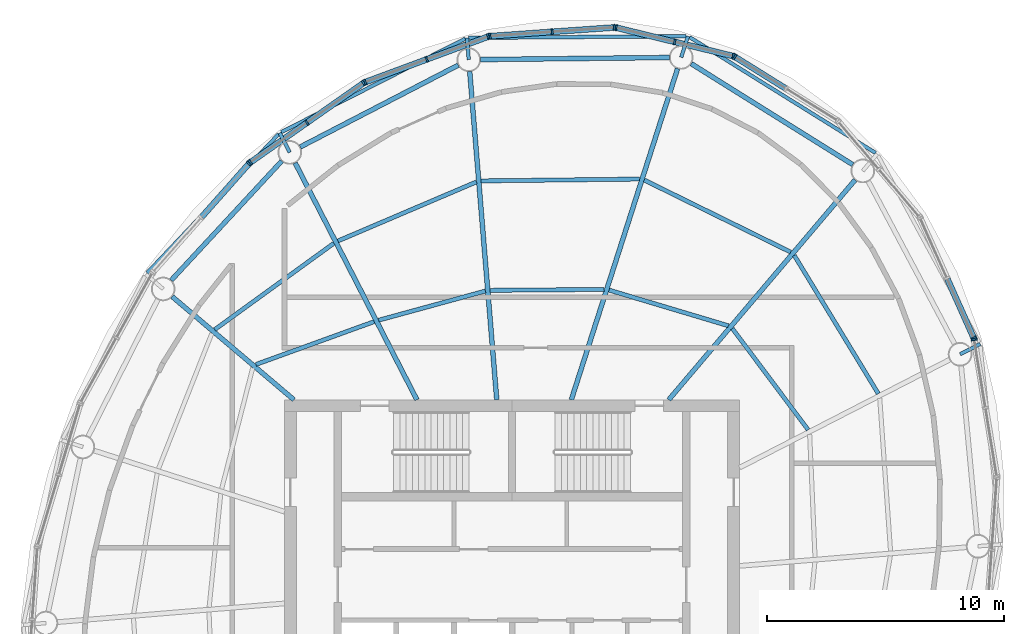
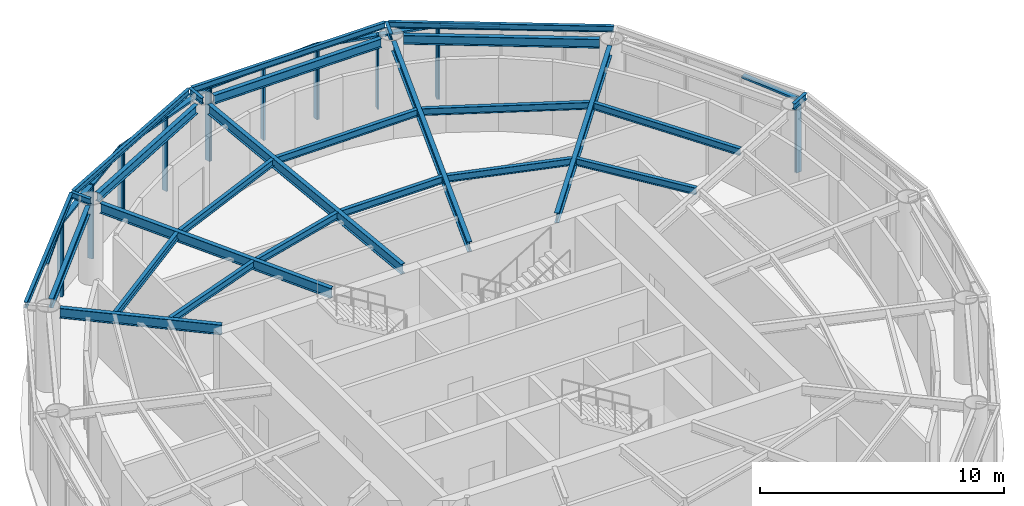
# One storey, part 5 of 11: 27 beams, 27 members, 8 elements without a shape of their own.
"""IFC4 building model written with IfcOpenShell, lengths in metres."""

from ifc_helpers import new_model, si_unit, direction, frame, origin, origin_2d, place, context, subcontext, project, spatial, rectangle, i_section, extrude, material, material_profile, profile_set, type_object, element, aggregate, save


model = new_model("IFC4")

# Units and contexts
model_context = context("Model", 3, precision=1e-05, world=origin(), true_north=direction((0.0, 1.0)))
body_context = subcontext(model_context, "Body", "Model", "MODEL_VIEW")
ifc_project = project(units=[si_unit("LENGTHUNIT", "METRE"), si_unit("AREAUNIT", "SQUARE_METRE"), si_unit("VOLUMEUNIT", "CUBIC_METRE"), si_unit("PLANEANGLEUNIT", "RADIAN"), si_unit("MASSUNIT", "GRAM", prefix="KILO")], contexts=[model_context])

# Site, building, storey
site_placement = place(None, origin())
site = spatial("IfcSite", under=ifc_project, at=site_placement, CompositionType="ELEMENT")
building_placement = place(site_placement, origin())
building = spatial("IfcBuilding", under=site, at=building_placement, Name="Vermilion Reach Broadcast Tower", CompositionType="ELEMENT")
storey_placement = place(building_placement, frame((0.0, 0.0, 321.300048828125)))
storey = spatial("IfcBuildingStorey", under=building, at=storey_placement, Name="L80 CROWN", CompositionType="ELEMENT", Elevation=321.300048828125)

# Curtain wall, members
ifc_material_1 = material(Name="Low-e laminated clear glass in aluminium frame", Category="aluminium")
curtain_wall_type = type_object("IfcCurtainWallType", Name="Crown glazing curtain wall", PredefinedType="NOTDEFINED", material=ifc_material_1)
placement = place(storey_placement, origin())
curtain_wall_1 = element("IfcCurtainWall", 1, at=placement, inside=storey, type_object=curtain_wall_type, Name="Crown glazing L80 CROWN 01", PredefinedType="NOTDEFINED")
ifc_material_2 = material(Name="Anodised aluminium", Category="aluminium")
ifc_material_profile_1 = material_profile(ifc_material_2, rectangle(XDim=0.25, YDim=0.080078125, at=origin_2d()), Name="Crown glazing mullion 80 x 250")
ifc_profile_set_1 = profile_set([ifc_material_profile_1], Name="Anodised aluminium")
member_type_1 = type_object("IfcMemberType", Name="Crown glazing mullion 80 x 250", PredefinedType="MULLION", material=ifc_profile_set_1)
member_1_placement = place(storey_placement, frame((3.331298828125, 22.300048828125, 0.0), z_axis=(0.0, 0.0, 1.0), x_axis=(-0.236354420386, -0.971666912045, 0.0)))
member_1 = element("IfcMember", 2, at=member_1_placement, type_object=member_type_1, Name="Crown glazing mullion L80 CROWN 01.1", PredefinedType="MULLION", context=body_context, shape_type="SweptSolid", body=[
    extrude(rectangle(XDim=0.25, YDim=0.080078125, at=origin_2d()), origin(), (0.0, 0.0, 1.0), 3.699951171875),
])
member_2_placement = place(storey_placement, frame((0.861328125, 22.90087890625, 0.0), z_axis=(0.0, 0.0, 1.0), x_axis=(-0.236354420386, -0.971666912045, 0.0)))
member_2 = element("IfcMember", 3, at=member_2_placement, type_object=member_type_1, Name="Crown glazing mullion L80 CROWN 01.2", PredefinedType="MULLION", context=body_context, shape_type="SweptSolid", body=[
    extrude(rectangle(XDim=0.25, YDim=0.080078125, at=origin_2d()), origin(), (0.0, 0.0, 1.0), 3.699951171875),
])
member_3_placement = place(storey_placement, frame((-1.60888671875, 23.501708984375, 0.0), z_axis=(0.0, 0.0, 1.0), x_axis=(-0.236354420386, -0.971666912045, 0.0)))
member_3 = element("IfcMember", 4, at=member_3_placement, type_object=member_type_1, Name="Crown glazing mullion L80 CROWN 01.3", PredefinedType="MULLION", context=body_context, shape_type="SweptSolid", body=[
    extrude(rectangle(XDim=0.25, YDim=0.080078125, at=origin_2d()), origin(), (0.0, 0.0, 1.0), 3.699951171875),
])

curtain_wall_2 = element("IfcCurtainWall", 5, at=placement, inside=storey, type_object=curtain_wall_type, Name="Crown glazing L80 CROWN 02", PredefinedType="NOTDEFINED")
member_4_placement = place(storey_placement, frame((-1.6875, 23.50830078125, 0.0), z_axis=(0.0, 0.0, 1.0), x_axis=(0.070082236977, -0.997541217224, 0.0)))
member_4 = element("IfcMember", 6, at=member_4_placement, type_object=member_type_1, Name="Crown glazing mullion L80 CROWN 02.1", PredefinedType="MULLION", context=body_context, shape_type="SweptSolid", body=[
    extrude(rectangle(XDim=0.25, YDim=0.080078125, at=origin_2d()), origin(), (0.0, 0.0, 1.0), 3.699951171875),
])
member_5_placement = place(storey_placement, frame((-4.30712890625, 23.324462890625, 0.0), z_axis=(0.0, 0.0, 1.0), x_axis=(0.070082236977, -0.997541217224, 0.0)))
member_5 = element("IfcMember", 7, at=member_5_placement, type_object=member_type_1, Name="Crown glazing mullion L80 CROWN 02.2", PredefinedType="MULLION", context=body_context, shape_type="SweptSolid", body=[
    extrude(rectangle(XDim=0.25, YDim=0.080078125, at=origin_2d()), origin(), (0.0, 0.0, 1.0), 3.699951171875),
])
member_6_placement = place(storey_placement, frame((-6.9267578125, 23.140380859375, 0.0), z_axis=(0.0, 0.0, 1.0), x_axis=(0.070082236977, -0.997541217224, 0.0)))
member_6 = element("IfcMember", 8, at=member_6_placement, type_object=member_type_1, Name="Crown glazing mullion L80 CROWN 02.3", PredefinedType="MULLION", context=body_context, shape_type="SweptSolid", body=[
    extrude(rectangle(XDim=0.25, YDim=0.080078125, at=origin_2d()), origin(), (0.0, 0.0, 1.0), 3.699951171875),
])

curtain_wall_3 = element("IfcCurtainWall", 9, at=placement, inside=storey, type_object=curtain_wall_type, Name="Crown glazing L80 CROWN 03", PredefinedType="NOTDEFINED")
member_7_placement = place(storey_placement, frame((-7.004150390625, 23.12353515625, 0.0), z_axis=(0.0, 0.0, 1.0), x_axis=(0.347291008771, -0.93775740745, 0.0)))
member_7 = element("IfcMember", 10, at=member_7_placement, type_object=member_type_1, Name="Crown glazing mullion L80 CROWN 03.1", PredefinedType="MULLION", context=body_context, shape_type="SweptSolid", body=[
    extrude(rectangle(XDim=0.25, YDim=0.080078125, at=origin_2d()), origin(), (0.0, 0.0, 1.0), 3.699951171875),
])
member_8_placement = place(storey_placement, frame((-9.597412109375, 22.163330078125, 0.0), z_axis=(0.0, 0.0, 1.0), x_axis=(0.347291008771, -0.93775740745, 0.0)))
member_8 = element("IfcMember", 11, at=member_8_placement, type_object=member_type_1, Name="Crown glazing mullion L80 CROWN 03.2", PredefinedType="MULLION", context=body_context, shape_type="SweptSolid", body=[
    extrude(rectangle(XDim=0.25, YDim=0.080078125, at=origin_2d()), origin(), (0.0, 0.0, 1.0), 3.699951171875),
])
member_9_placement = place(storey_placement, frame((-12.190673828125, 21.202880859375, 0.0), z_axis=(0.0, 0.0, 1.0), x_axis=(0.347291008771, -0.93775740745, 0.0)))
member_9 = element("IfcMember", 12, at=member_9_placement, type_object=member_type_1, Name="Crown glazing mullion L80 CROWN 03.3", PredefinedType="MULLION", context=body_context, shape_type="SweptSolid", body=[
    extrude(rectangle(XDim=0.25, YDim=0.080078125, at=origin_2d()), origin(), (0.0, 0.0, 1.0), 3.699951171875),
])

curtain_wall_4 = element("IfcCurtainWall", 13, at=placement, inside=storey, type_object=curtain_wall_type, Name="Crown glazing L80 CROWN 04", PredefinedType="NOTDEFINED")
member_10_placement = place(storey_placement, frame((-12.2607421875, 21.166015625, 0.0), z_axis=(0.0, 0.0, 1.0), x_axis=(0.574163969023, -0.818740335317, 0.0)))
member_10 = element("IfcMember", 14, at=member_10_placement, type_object=member_type_1, Name="Crown glazing mullion L80 CROWN 04.1", PredefinedType="MULLION", context=body_context, shape_type="SweptSolid", body=[
    extrude(rectangle(XDim=0.25, YDim=0.080078125, at=origin_2d()), origin(), (0.0, 0.0, 1.0), 3.699951171875),
])
member_11_placement = place(storey_placement, frame((-14.64990234375, 19.49072265625, 0.0), z_axis=(0.0, 0.0, 1.0), x_axis=(0.574163969023, -0.818740335317, 0.0)))
member_11 = element("IfcMember", 15, at=member_11_placement, type_object=member_type_1, Name="Crown glazing mullion L80 CROWN 04.2", PredefinedType="MULLION", context=body_context, shape_type="SweptSolid", body=[
    extrude(rectangle(XDim=0.25, YDim=0.080078125, at=origin_2d()), origin(), (0.0, 0.0, 1.0), 3.699951171875),
])
member_12_placement = place(storey_placement, frame((-17.038818359375, 17.8154296875, 0.0), z_axis=(0.0, 0.0, 1.0), x_axis=(0.574163969023, -0.818740335317, 0.0)))
member_12 = element("IfcMember", 16, at=member_12_placement, type_object=member_type_1, Name="Crown glazing mullion L80 CROWN 04.3", PredefinedType="MULLION", context=body_context, shape_type="SweptSolid", body=[
    extrude(rectangle(XDim=0.25, YDim=0.080078125, at=origin_2d()), origin(), (0.0, 0.0, 1.0), 3.699951171875),
])

# Curtain wall, member
curtain_wall_5 = element("IfcCurtainWall", 17, at=placement, inside=storey, type_object=curtain_wall_type, Name="Crown glazing L80 CROWN 05", PredefinedType="NOTDEFINED")
member_13_placement = place(storey_placement, frame((-17.09814453125, 17.762451171875, 0.0), z_axis=(0.0, 0.0, 1.0), x_axis=(0.748407682668, -0.663238976934, 0.0)))
member_13 = element("IfcMember", 18, at=member_13_placement, type_object=member_type_1, Name="Crown glazing mullion L80 CROWN 05.1", PredefinedType="MULLION", context=body_context, shape_type="SweptSolid", body=[
    extrude(rectangle(XDim=0.25, YDim=0.080078125, at=origin_2d()), origin(), (0.0, 0.0, 1.0), 3.699951171875),
])

curtain_wall_6 = element("IfcCurtainWall", 19, at=placement, inside=storey, type_object=curtain_wall_type, Name="Crown glazing L80 CROWN 21", PredefinedType="NOTDEFINED")
member_14_placement = place(storey_placement, frame((13.5029296875, 10.3359375, 0.0), z_axis=(0.0, 0.0, 1.0), x_axis=(-0.986689101121, -0.162618011697, 0.0)))
member_14 = element("IfcMember", 20, at=member_14_placement, type_object=member_type_1, Name="Crown glazing mullion L80 CROWN 21.3", PredefinedType="MULLION", context=body_context, shape_type="SweptSolid", body=[
    extrude(rectangle(XDim=0.25, YDim=0.080078125, at=origin_2d()), origin(), (0.0, 0.0, 1.0), 3.699951171875),
])
aggregate(curtain_wall_6, [member_14])

curtain_wall_7 = element("IfcCurtainWall", 21, at=placement, inside=storey, type_object=curtain_wall_type, Name="Crown glazing L80 CROWN 22", PredefinedType="NOTDEFINED")
member_15_placement = place(storey_placement, frame((13.480224609375, 10.411865234375, 0.0), z_axis=(0.0, 0.0, 1.0), x_axis=(-0.912988806241, -0.407984607158, 0.0)))
member_15 = element("IfcMember", 22, at=member_15_placement, type_object=member_type_1, Name="Crown glazing mullion L80 CROWN 22.1", PredefinedType="MULLION", context=body_context, shape_type="SweptSolid", body=[
    extrude(rectangle(XDim=0.25, YDim=0.080078125, at=origin_2d()), origin(), (0.0, 0.0, 1.0), 3.699951171875),
])

curtain_wall_8 = element("IfcCurtainWall", 23, at=placement, inside=storey, type_object=curtain_wall_type, Name="Crown glazing L80 CROWN 24", PredefinedType="NOTDEFINED")
member_16_placement = place(storey_placement, frame((3.404052734375, 22.26953125, 0.0), z_axis=(0.0, 0.0, 1.0), x_axis=(-0.52886102859, -0.848708437827, 0.0)))
member_16 = element("IfcMember", 24, at=member_16_placement, type_object=member_type_1, Name="Crown glazing mullion L80 CROWN 24.3", PredefinedType="MULLION", context=body_context, shape_type="SweptSolid", body=[
    extrude(rectangle(XDim=0.25, YDim=0.080078125, at=origin_2d()), origin(), (0.0, 0.0, 1.0), 3.699951171875),
])

# Member
ifc_material_3 = material(Name="Anodised aluminium", Category="aluminium")
ifc_material_profile_2 = material_profile(ifc_material_3, rectangle(XDim=0.25, YDim=0.10009765625, at=origin_2d()), Name="Crown glazing transom 250 x 100")
ifc_profile_set_2 = profile_set([ifc_material_profile_2], Name="Anodised aluminium")
member_type_2 = type_object("IfcMemberType", Name="Crown glazing transom 250 x 100", PredefinedType="USERDEFINED", material=ifc_profile_set_2)
member_17_placement = place(storey_placement, frame((3.29248046875, 22.3095703125, 3.64990234375), z_axis=(-0.971679911502, 0.236300972457, 0.0), x_axis=(-0.236300972457, -0.971679911502, 0.0)))
member_17 = element("IfcMember", 25, at=member_17_placement, type_object=member_type_2, Name="Crown glazing transom L80 CROWN 01.1.2", ObjectType="TRANSOM", PredefinedType="USERDEFINED", context=body_context, shape_type="SweptSolid", body=[
    extrude(rectangle(XDim=0.25, YDim=0.10009765625, at=origin_2d()), origin(), (0.0, 0.0, 1.0), 2.462158203125),
])

member_18_placement = place(storey_placement, frame((0.822265625, 22.910400390625, 3.64990234375), z_axis=(-0.971674373727, 0.236323742865, 0.0), x_axis=(-0.236323742865, -0.971674373727, 0.0)))
member_18 = element("IfcMember", 26, at=member_18_placement, type_object=member_type_2, Name="Crown glazing transom L80 CROWN 01.2.2", ObjectType="TRANSOM", PredefinedType="USERDEFINED", context=body_context, shape_type="SweptSolid", body=[
    extrude(rectangle(XDim=0.25, YDim=0.10009765625, at=origin_2d()), origin(), (0.0, 0.0, 1.0), 2.4619140625),
])

aggregate(curtain_wall_1, [member_1, member_2, member_3, member_17, member_18])

member_19_placement = place(storey_placement, frame((-1.7275390625, 23.505615234375, 3.64990234375), z_axis=(-0.997539824471, -0.07010205842, 0.0), x_axis=(0.07010205842, -0.997539824471, 0.0)))
member_19 = element("IfcMember", 27, at=member_19_placement, type_object=member_type_2, Name="Crown glazing transom L80 CROWN 02.1.2", ObjectType="TRANSOM", PredefinedType="USERDEFINED", context=body_context, shape_type="SweptSolid", body=[
    extrude(rectangle(XDim=0.25, YDim=0.10009765625, at=origin_2d()), origin(), (0.0, 0.0, 1.0), 2.5458984375),
])

member_20_placement = place(storey_placement, frame((-4.346923828125, 23.321533203125, 3.64990234375), z_axis=(-0.997540295679, -0.070095352893, 0.0), x_axis=(0.070095352893, -0.997540295679, 0.0)))
member_20 = element("IfcMember", 28, at=member_20_placement, type_object=member_type_2, Name="Crown glazing transom L80 CROWN 02.2.2", ObjectType="TRANSOM", PredefinedType="USERDEFINED", context=body_context, shape_type="SweptSolid", body=[
    extrude(rectangle(XDim=0.25, YDim=0.10009765625, at=origin_2d()), origin(), (0.0, 0.0, 1.0), 2.546142578125),
])

aggregate(curtain_wall_2, [member_4, member_5, member_6, member_19, member_20])

member_21_placement = place(storey_placement, frame((-7.04150390625, 23.109619140625, 3.64990234375), z_axis=(-0.937789331633, -0.347204794717, 0.0), x_axis=(0.347204794717, -0.937789331633, 0.0)))
member_21 = element("IfcMember", 29, at=member_21_placement, type_object=member_type_2, Name="Crown glazing transom L80 CROWN 03.1.2", ObjectType="TRANSOM", PredefinedType="USERDEFINED", context=body_context, shape_type="SweptSolid", body=[
    extrude(rectangle(XDim=0.25, YDim=0.10009765625, at=origin_2d()), origin(), (0.0, 0.0, 1.0), 2.685302734375),
])

member_22_placement = place(storey_placement, frame((-9.634765625, 22.1494140625, 3.64990234375), z_axis=(-0.93775972675, -0.347284746116, 0.0), x_axis=(0.347284746116, -0.93775972675, 0.0)))
member_22 = element("IfcMember", 30, at=member_22_placement, type_object=member_type_2, Name="Crown glazing transom L80 CROWN 03.2.2", ObjectType="TRANSOM", PredefinedType="USERDEFINED", context=body_context, shape_type="SweptSolid", body=[
    extrude(rectangle(XDim=0.25, YDim=0.10009765625, at=origin_2d()), origin(), (0.0, 0.0, 1.0), 2.685546875),
])

aggregate(curtain_wall_3, [member_7, member_8, member_9, member_21, member_22])

member_23_placement = place(storey_placement, frame((-12.293701171875, 21.14306640625, 3.64990234375), z_axis=(-0.818742582552, -0.574160764522, 0.0), x_axis=(0.574160764522, -0.818742582552, 0.0)))
member_23 = element("IfcMember", 31, at=member_23_placement, type_object=member_type_2, Name="Crown glazing transom L80 CROWN 04.1.2", ObjectType="TRANSOM", PredefinedType="USERDEFINED", context=body_context, shape_type="SweptSolid", body=[
    extrude(rectangle(XDim=0.25, YDim=0.10009765625, at=origin_2d()), origin(), (0.0, 0.0, 1.0), 2.837890625),
])

member_24_placement = place(storey_placement, frame((-14.6826171875, 19.4677734375, 3.64990234375), z_axis=(-0.818742582552, -0.574160764522, 0.0), x_axis=(0.574160764522, -0.818742582552, 0.0)))
member_24 = element("IfcMember", 32, at=member_24_placement, type_object=member_type_2, Name="Crown glazing transom L80 CROWN 04.2.2", ObjectType="TRANSOM", PredefinedType="USERDEFINED", context=body_context, shape_type="SweptSolid", body=[
    extrude(rectangle(XDim=0.25, YDim=0.10009765625, at=origin_2d()), origin(), (0.0, 0.0, 1.0), 2.837890625),
])

aggregate(curtain_wall_4, [member_10, member_11, member_12, member_23, member_24])

member_25_placement = place(storey_placement, frame((-17.12451171875, 17.732421875, 3.64990234375), z_axis=(-0.663279205809, -0.748372029903, 0.0), x_axis=(0.748372029903, -0.663279205809, 0.0)))
member_25 = element("IfcMember", 33, at=member_25_placement, type_object=member_type_2, Name="Crown glazing transom L80 CROWN 05.1.2", ObjectType="TRANSOM", PredefinedType="USERDEFINED", context=body_context, shape_type="SweptSolid", body=[
    extrude(rectangle(XDim=0.25, YDim=0.10009765625, at=origin_2d()), origin(), (0.0, 0.0, 1.0), 2.9638671875),
])

aggregate(curtain_wall_5, [member_13, member_25])

member_26_placement = place(storey_placement, frame((13.4638671875, 10.4482421875, 3.64990234375), z_axis=(-0.407993268167, 0.912984935873, 0.0), x_axis=(-0.912984935873, -0.407993268167, 0.0)))
member_26 = element("IfcMember", 34, at=member_26_placement, type_object=member_type_2, Name="Crown glazing transom L80 CROWN 22.1.2", ObjectType="TRANSOM", PredefinedType="USERDEFINED", context=body_context, shape_type="SweptSolid", body=[
    extrude(rectangle(XDim=0.25, YDim=0.10009765625, at=origin_2d()), origin(), (0.0, 0.0, 1.0), 2.685546875),
])

aggregate(curtain_wall_7, [member_15, member_26])

member_27_placement = place(storey_placement, frame((5.527587890625, 20.9462890625, 3.64990234375), z_axis=(-0.848727287614, 0.528830777526, 0.0), x_axis=(-0.528830777526, -0.848727287614, 0.0)))
member_27 = element("IfcMember", 35, at=member_27_placement, type_object=member_type_2, Name="Crown glazing transom L80 CROWN 24.2.2", ObjectType="TRANSOM", PredefinedType="USERDEFINED", context=body_context, shape_type="SweptSolid", body=[
    extrude(rectangle(XDim=0.25, YDim=0.10009765625, at=origin_2d()), origin(), (0.0, 0.0, 1.0), 2.462158203125),
])

aggregate(curtain_wall_8, [member_16, member_27])

# Beams
ifc_material_4 = material(Name="Steel S355J2", Category="steel")
ifc_material_profile_3 = material_profile(ifc_material_4, i_section(OverallWidth=0.14990234375, OverallDepth=0.300048828125, WebThickness=0.006591796875, FlangeThickness=0.009033203125, at=origin_2d()), Name="S355J2 HN 300x150x6.5x9")
ifc_profile_set_3 = profile_set([ifc_material_profile_3], Name="Steel S355J2")
beam_type_1 = type_object("IfcBeamType", Name="EB5 HN 300x150x6.5x9", PredefinedType="BEAM", material=ifc_profile_set_3)
beam_1_placement = place(storey_placement, frame((1.346435546875, 23.140380859375, 3.849853515625), z_axis=(-0.999971629622, -0.007532592595, 0.0), x_axis=(0.007532592595, -0.999971629622, 0.0)))
element("IfcBeam", 36, at=beam_1_placement, inside=storey, type_object=beam_type_1, Name="Edge beam EB5-01", PredefinedType="BEAM", context=body_context, shape_type="SweptSolid", body=[
    extrude(i_section(OverallWidth=0.14990234375, OverallDepth=0.300048828125, WebThickness=0.006591796875, FlangeThickness=0.009033203125, at=origin_2d()), origin(), (0.0, 0.0, 1.0), 9.17236328125),
])
beam_2_placement = place(storey_placement, frame((-7.97314453125, 23.033935546875, 3.849853515625), z_axis=(-0.891604217889, -0.452815545936, 0.0), x_axis=(0.452815545936, -0.891604217889, 0.0)))
element("IfcBeam", 37, at=beam_2_placement, inside=storey, type_object=beam_type_1, Name="Edge beam EB5-02", PredefinedType="BEAM", context=body_context, shape_type="SweptSolid", body=[
    extrude(i_section(OverallWidth=0.14990234375, OverallDepth=0.300048828125, WebThickness=0.006591796875, FlangeThickness=0.009033203125, at=origin_2d()), origin(), (0.0, 0.0, 1.0), 8.70263671875),
])
beam_3_placement = place(storey_placement, frame((-15.85400390625, 19.001708984375, 3.849853515625), z_axis=(-0.687701793008, -0.725993280888, 0.0), x_axis=(0.725993280888, -0.687701793008, 0.0)))
element("IfcBeam", 38, at=beam_3_placement, inside=storey, type_object=beam_type_1, Name="Edge beam EB5-03", PredefinedType="BEAM", context=body_context, shape_type="SweptSolid", body=[
    extrude(i_section(OverallWidth=0.14990234375, OverallDepth=0.300048828125, WebThickness=0.006591796875, FlangeThickness=0.009033203125, at=origin_2d()), origin(), (0.0, 0.0, 1.0), 8.05908203125),
])
beam_4_placement = place(storey_placement, frame((9.341552734375, 18.212646484375, 3.849853515625), z_axis=(-0.848928421209, 0.528507838791, 0.0), x_axis=(-0.528507838791, -0.848928421209, 0.0)))
element("IfcBeam", 39, at=beam_4_placement, inside=storey, type_object=beam_type_1, Name="Edge beam EB5-16", PredefinedType="BEAM", context=body_context, shape_type="SweptSolid", body=[
    extrude(i_section(OverallWidth=0.14990234375, OverallDepth=0.300048828125, WebThickness=0.006591796875, FlangeThickness=0.009033203125, at=origin_2d()), origin(), (0.0, 0.0, 1.0), 9.24755859375),
])
ifc_material_5 = material(Name="Steel S355J2", Category="steel")
ifc_material_profile_4 = material_profile(ifc_material_5, i_section(OverallWidth=0.199951171875, OverallDepth=0.5, WebThickness=0.010009765625, FlangeThickness=0.01611328125, at=origin_2d()), Name="S355J2 HN 500x200x10x16")
ifc_profile_set_4 = profile_set([ifc_material_profile_4], Name="Steel S355J2")
beam_type_2 = type_object("IfcBeamType", Name="G5 HN 500x200x10x16", PredefinedType="BEAM", material=ifc_profile_set_4)
beam_5_placement = place(storey_placement, frame((-3.497314453125, 7.800048828125, 3.75), z_axis=(0.305545401295, 0.952177508528, 0.0), x_axis=(-0.952177508528, 0.305545401295, 0.0)))
element("IfcBeam", 40, at=beam_5_placement, inside=storey, type_object=beam_type_2, Name="Girder G5-01", PredefinedType="BEAM", context=body_context, shape_type="SweptSolid", body=[
    extrude(i_section(OverallWidth=0.199951171875, OverallDepth=0.5, WebThickness=0.010009765625, FlangeThickness=0.01611328125, at=origin_2d()), origin(), (0.0, 0.0, 1.0), 14.672607421875),
])
beam_6_placement = place(storey_placement, frame((-6.642578125, 7.800048828125, 3.75), z_axis=(-0.082123744247, 0.996622140347, 0.0), x_axis=(-0.996622140347, -0.082123744247, 0.0)))
element("IfcBeam", 41, at=beam_6_placement, inside=storey, type_object=beam_type_2, Name="Girder G5-02", PredefinedType="BEAM", context=body_context, shape_type="SweptSolid", body=[
    extrude(i_section(OverallWidth=0.199951171875, OverallDepth=0.5, WebThickness=0.010009765625, FlangeThickness=0.01611328125, at=origin_2d()), origin(), (0.0, 0.0, 1.0), 13.89794921875),
])
beam_7_placement = place(storey_placement, frame((-10.010498046875, 7.800048828125, 3.75), z_axis=(-0.457258168112, 0.889334002327, 0.0), x_axis=(-0.889334002327, -0.457258168112, 0.0)))
element("IfcBeam", 42, at=beam_7_placement, inside=storey, type_object=beam_type_2, Name="Girder G5-03", PredefinedType="BEAM", context=body_context, shape_type="SweptSolid", body=[
    extrude(i_section(OverallWidth=0.199951171875, OverallDepth=0.5, WebThickness=0.010009765625, FlangeThickness=0.01611328125, at=origin_2d()), origin(), (0.0, 0.0, 1.0), 11.236328125),
])
beam_8_placement = place(storey_placement, frame((-15.20068359375, 7.800048828125, 3.75), z_axis=(-0.762793125612, 0.646642596431, 0.0), x_axis=(-0.646642596431, -0.762793125612, 0.0)))
element("IfcBeam", 43, at=beam_8_placement, inside=storey, type_object=beam_type_2, Name="Girder G5-04", PredefinedType="BEAM", context=body_context, shape_type="SweptSolid", body=[
    extrude(i_section(OverallWidth=0.199951171875, OverallDepth=0.5, WebThickness=0.010009765625, FlangeThickness=0.01611328125, at=origin_2d()), origin(), (0.0, 0.0, 1.0), 6.732421875),
])
beam_9_placement = place(storey_placement, frame((0.612548828125, 7.800048828125, 3.75), z_axis=(0.646658335602, 0.762779782766, 0.0), x_axis=(-0.762779782766, 0.646658335602, 0.0)))
element("IfcBeam", 44, at=beam_9_placement, inside=storey, type_object=beam_type_2, Name="Girder G5-16", PredefinedType="BEAM", context=body_context, shape_type="SweptSolid", body=[
    extrude(i_section(OverallWidth=0.199951171875, OverallDepth=0.5, WebThickness=0.010009765625, FlangeThickness=0.01611328125, at=origin_2d()), origin(), (0.0, 0.0, 1.0), 12.16064453125),
])
ifc_material_6 = material(Name="Steel S355J2", Category="steel")
ifc_material_profile_5 = material_profile(ifc_material_6, i_section(OverallWidth=0.14990234375, OverallDepth=0.300048828125, WebThickness=0.006591796875, FlangeThickness=0.009033203125, at=origin_2d()), Name="S355J2 HN 300x150x6.5x9")
ifc_profile_set_5 = profile_set([ifc_material_profile_5], Name="Steel S355J2")
beam_type_3 = type_object("IfcBeamType", Name="GS5 HN 300x150x6.5x9", PredefinedType="BEAM", material=ifc_profile_set_5)
beam_10_placement = place(storey_placement, frame((1.138427734375, 22.2470703125, 3.849853515625), z_axis=(0.305596628184, 0.95216106875, 0.0), x_axis=(-0.95216106875, 0.305596628184, 0.0)))
element("IfcBeam", 45, at=beam_10_placement, inside=storey, type_object=beam_type_3, Name="Cantilever stub GS5-01", PredefinedType="BEAM", context=body_context, shape_type="SweptSolid", body=[
    extrude(i_section(OverallWidth=0.14990234375, OverallDepth=0.300048828125, WebThickness=0.006591796875, FlangeThickness=0.009033203125, at=origin_2d()), origin(), (0.0, 0.0, 1.0), 0.938720703125),
])
beam_11_placement = place(storey_placement, frame((-7.824951171875, 22.1494140625, 3.849853515625), z_axis=(-0.082149174093, 0.996620044548, 0.0), x_axis=(-0.996620044548, -0.082149174093, 0.0)))
element("IfcBeam", 46, at=beam_11_placement, inside=storey, type_object=beam_type_3, Name="Cantilever stub GS5-02", PredefinedType="BEAM", context=body_context, shape_type="SweptSolid", body=[
    extrude(i_section(OverallWidth=0.14990234375, OverallDepth=0.300048828125, WebThickness=0.006591796875, FlangeThickness=0.009033203125, at=origin_2d()), origin(), (0.0, 0.0, 1.0), 0.92431640625),
])
beam_12_placement = place(storey_placement, frame((-15.376953125, 18.23779296875, 3.849853515625), z_axis=(-0.457228572872, 0.889349218333, 0.0), x_axis=(-0.889349218333, -0.457228572872, 0.0)))
element("IfcBeam", 47, at=beam_12_placement, inside=storey, type_object=beam_type_3, Name="Cantilever stub GS5-03", PredefinedType="BEAM", context=body_context, shape_type="SweptSolid", body=[
    extrude(i_section(OverallWidth=0.14990234375, OverallDepth=0.300048828125, WebThickness=0.006591796875, FlangeThickness=0.009033203125, at=origin_2d()), origin(), (0.0, 0.0, 1.0), 0.923828125),
])
beam_13_placement = place(storey_placement, frame((12.905517578125, 9.72021484375, 3.849853515625), z_axis=(0.88934146644, 0.457243650662, 0.0), x_axis=(-0.457243650662, 0.88934146644, 0.0)))
element("IfcBeam", 48, at=beam_13_placement, inside=storey, type_object=beam_type_3, Name="Cantilever stub GS5-15", PredefinedType="BEAM", context=body_context, shape_type="SweptSolid", body=[
    extrude(i_section(OverallWidth=0.14990234375, OverallDepth=0.300048828125, WebThickness=0.006591796875, FlangeThickness=0.009033203125, at=origin_2d()), origin(), (0.0, 0.0, 1.0), 0.951416015625),
])
ifc_material_7 = material(Name="Steel S355J2", Category="steel")
ifc_material_profile_6 = material_profile(ifc_material_7, i_section(OverallWidth=0.199951171875, OverallDepth=0.449951171875, WebThickness=0.009033203125, FlangeThickness=0.013916015625, at=origin_2d()), Name="S355J2 HN 450x200x9x14")
ifc_profile_set_6 = profile_set([ifc_material_profile_6], Name="Steel S355J2")
beam_type_4 = type_object("IfcBeamType", Name="RB5 HN 450x200x9x14", PredefinedType="BEAM", material=ifc_profile_set_6)
beam_14_placement = place(storey_placement, frame((0.638427734375, 22.24169921875, 3.77490234375), z_axis=(-0.999940445231, -0.010913569149, 0.0), x_axis=(0.010913569149, -0.999940445231, 0.0)))
element("IfcBeam", 49, at=beam_14_placement, inside=storey, type_object=beam_type_4, Name="Ring beam RB5-01", PredefinedType="BEAM", context=body_context, shape_type="SweptSolid", body=[
    extrude(i_section(OverallWidth=0.199951171875, OverallDepth=0.449951171875, WebThickness=0.009033203125, FlangeThickness=0.013916015625, at=origin_2d()), origin(), (0.0, 0.0, 1.0), 7.9638671875),
])
beam_15_placement = place(storey_placement, frame((-8.268798828125, 21.91943359375, 3.77490234375), z_axis=(-0.887960248279, -0.459920207729, 0.0), x_axis=(0.459920207729, -0.887960248279, 0.0)))
element("IfcBeam", 50, at=beam_15_placement, inside=storey, type_object=beam_type_4, Name="Ring beam RB5-02", PredefinedType="BEAM", context=body_context, shape_type="SweptSolid", body=[
    extrude(i_section(OverallWidth=0.199951171875, OverallDepth=0.449951171875, WebThickness=0.009033203125, FlangeThickness=0.013916015625, at=origin_2d()), origin(), (0.0, 0.0, 1.0), 7.5048828125),
])
beam_16_placement = place(storey_placement, frame((-15.716796875, 17.87109375, 3.77490234375), z_axis=(-0.679837550075, -0.733362738014, 0.0), x_axis=(0.733362738014, -0.679837550075, 0.0)))
element("IfcBeam", 51, at=beam_16_placement, inside=storey, type_object=beam_type_4, Name="Ring beam RB5-03", PredefinedType="BEAM", context=body_context, shape_type="SweptSolid", body=[
    extrude(i_section(OverallWidth=0.199951171875, OverallDepth=0.449951171875, WebThickness=0.009033203125, FlangeThickness=0.013916015625, at=origin_2d()), origin(), (0.0, 0.0, 1.0), 6.85546875),
])
beam_17_placement = place(storey_placement, frame((8.375732421875, 17.722412109375, 3.77490234375), z_axis=(-0.847914653245, 0.530132757724, 0.0), x_axis=(-0.530132757724, -0.847914653245, 0.0)))
element("IfcBeam", 52, at=beam_17_placement, inside=storey, type_object=beam_type_4, Name="Ring beam RB5-16", PredefinedType="BEAM", context=body_context, shape_type="SweptSolid", body=[
    extrude(i_section(OverallWidth=0.199951171875, OverallDepth=0.449951171875, WebThickness=0.009033203125, FlangeThickness=0.013916015625, at=origin_2d()), origin(), (0.0, 0.0, 1.0), 8.035400390625),
])
ifc_material_8 = material(Name="Steel S355J2", Category="steel")
ifc_material_profile_7 = material_profile(ifc_material_8, i_section(OverallWidth=0.175048828125, OverallDepth=0.35009765625, WebThickness=0.007080078125, FlangeThickness=0.010986328125, at=origin_2d()), Name="S355J2 HN 350x175x7x11")
ifc_profile_set_7 = profile_set([ifc_material_profile_7], Name="Steel S355J2")
beam_type_5 = type_object("IfcBeamType", Name="SB5 HN 350x175x7x11", PredefinedType="BEAM", material=ifc_profile_set_7)
beam_18_placement = place(storey_placement, frame((-2.108154296875, 12.4560546875, 3.824951171875), z_axis=(-0.999968312294, -0.007960804474, 0.0), x_axis=(0.007960804474, -0.999968312294, 0.0)))
element("IfcBeam", 53, at=beam_18_placement, inside=storey, type_object=beam_type_5, Name="Secondary beam SB5-01-1", PredefinedType="BEAM", context=body_context, shape_type="SweptSolid", body=[
    extrude(i_section(OverallWidth=0.175048828125, OverallDepth=0.35009765625, WebThickness=0.007080078125, FlangeThickness=0.010986328125, at=origin_2d()), origin(), (0.0, 0.0, 1.0), 4.81494140625),
])
beam_19_placement = place(storey_placement, frame((-0.614013671875, 17.11279296875, 3.824951171875), z_axis=(-0.999932654133, -0.011605481368, 0.0), x_axis=(0.011605481368, -0.999932654133, 0.0)))
element("IfcBeam", 54, at=beam_19_placement, inside=storey, type_object=beam_type_5, Name="Secondary beam SB5-01-2", PredefinedType="BEAM", context=body_context, shape_type="SweptSolid", body=[
    extrude(i_section(OverallWidth=0.175048828125, OverallDepth=0.35009765625, WebThickness=0.007080078125, FlangeThickness=0.010986328125, at=origin_2d()), origin(), (0.0, 0.0, 1.0), 6.689697265625),
])
beam_20_placement = place(storey_placement, frame((-7.12109375, 12.39013671875, 3.824951171875), z_axis=(-0.964547496851, -0.263909314573, 0.0), x_axis=(0.263909314573, -0.964547496851, 0.0)))
element("IfcBeam", 55, at=beam_20_placement, inside=storey, type_object=beam_type_5, Name="Secondary beam SB5-02-1", PredefinedType="BEAM", context=body_context, shape_type="SweptSolid", body=[
    extrude(i_section(OverallWidth=0.175048828125, OverallDepth=0.35009765625, WebThickness=0.007080078125, FlangeThickness=0.010986328125, at=origin_2d()), origin(), (0.0, 0.0, 1.0), 4.6689453125),
])
beam_21_placement = place(storey_placement, frame((-7.50048828125, 16.99267578125, 3.824951171875), z_axis=(-0.919880986172, -0.392197617637, 0.0), x_axis=(0.392197617637, -0.919880986172, 0.0)))
element("IfcBeam", 56, at=beam_21_placement, inside=storey, type_object=beam_type_5, Name="Secondary beam SB5-02-2", PredefinedType="BEAM", context=body_context, shape_type="SweptSolid", body=[
    extrude(i_section(OverallWidth=0.175048828125, OverallDepth=0.35009765625, WebThickness=0.007080078125, FlangeThickness=0.010986328125, at=origin_2d()), origin(), (0.0, 0.0, 1.0), 6.351806640625),
])
beam_22_placement = place(storey_placement, frame((-11.81787109375, 11.0966796875, 3.824951171875), z_axis=(-0.940220108875, -0.340567389613, 0.0), x_axis=(0.340567389613, -0.940220108875, 0.0)))
element("IfcBeam", 57, at=beam_22_placement, inside=storey, type_object=beam_type_5, Name="Secondary beam SB5-03-1", PredefinedType="BEAM", context=body_context, shape_type="SweptSolid", body=[
    extrude(i_section(OverallWidth=0.175048828125, OverallDepth=0.35009765625, WebThickness=0.007080078125, FlangeThickness=0.010986328125, at=origin_2d()), origin(), (0.0, 0.0, 1.0), 5.303466796875),
])
beam_23_placement = place(storey_placement, frame((-13.517578125, 14.402587890625, 3.824951171875), z_axis=(-0.809771251518, -0.586745703192, 0.0), x_axis=(0.586745703192, -0.809771251518, 0.0)))
element("IfcBeam", 58, at=beam_23_placement, inside=storey, type_object=beam_type_5, Name="Secondary beam SB5-03-2", PredefinedType="BEAM", context=body_context, shape_type="SweptSolid", body=[
    extrude(i_section(OverallWidth=0.175048828125, OverallDepth=0.35009765625, WebThickness=0.007080078125, FlangeThickness=0.010986328125, at=origin_2d()), origin(), (0.0, 0.0, 1.0), 6.20361328125),
])
beam_24_placement = place(storey_placement, frame((6.492919921875, 6.53564453125, 3.824951171875), z_axis=(-0.599055582645, 0.800707442767, 0.0), x_axis=(-0.800707442767, -0.599055582645, 0.0)))
element("IfcBeam", 59, at=beam_24_placement, inside=storey, type_object=beam_type_5, Name="Secondary beam SB5-15-1", PredefinedType="BEAM", context=body_context, shape_type="SweptSolid", body=[
    extrude(i_section(OverallWidth=0.175048828125, OverallDepth=0.35009765625, WebThickness=0.007080078125, FlangeThickness=0.010986328125, at=origin_2d()), origin(), (0.0, 0.0, 1.0), 5.337890625),
])
beam_25_placement = place(storey_placement, frame((9.455078125, 8.058837890625, 3.824951171875), z_axis=(-0.519272962556, 0.854608442714, 0.0), x_axis=(-0.854608442714, -0.519272962556, 0.0)))
element("IfcBeam", 60, at=beam_25_placement, inside=storey, type_object=beam_type_5, Name="Secondary beam SB5-15-2", PredefinedType="BEAM", context=body_context, shape_type="SweptSolid", body=[
    extrude(i_section(OverallWidth=0.175048828125, OverallDepth=0.35009765625, WebThickness=0.007080078125, FlangeThickness=0.010986328125, at=origin_2d()), origin(), (0.0, 0.0, 1.0), 6.82763671875),
])
beam_26_placement = place(storey_placement, frame((3.129150390625, 10.92333984375, 3.824951171875), z_axis=(-0.958124906971, 0.286350593925, 0.0), x_axis=(-0.286350593925, -0.958124906971, 0.0)))
element("IfcBeam", 61, at=beam_26_placement, inside=storey, type_object=beam_type_5, Name="Secondary beam SB5-16-1", PredefinedType="BEAM", context=body_context, shape_type="SweptSolid", body=[
    extrude(i_section(OverallWidth=0.175048828125, OverallDepth=0.35009765625, WebThickness=0.007080078125, FlangeThickness=0.010986328125, at=origin_2d()), origin(), (0.0, 0.0, 1.0), 5.25634765625),
])
beam_27_placement = place(storey_placement, frame((5.762451171875, 14.029541015625, 3.824951171875), z_axis=(-0.897335928087, 0.441348198325, 0.0), x_axis=(-0.441348198325, -0.897335928087, 0.0)))
element("IfcBeam", 62, at=beam_27_placement, inside=storey, type_object=beam_type_5, Name="Secondary beam SB5-16-2", PredefinedType="BEAM", context=body_context, shape_type="SweptSolid", body=[
    extrude(i_section(OverallWidth=0.175048828125, OverallDepth=0.35009765625, WebThickness=0.007080078125, FlangeThickness=0.010986328125, at=origin_2d()), origin(), (0.0, 0.0, 1.0), 6.887451171875),
])

save(model, "model.ifc")
